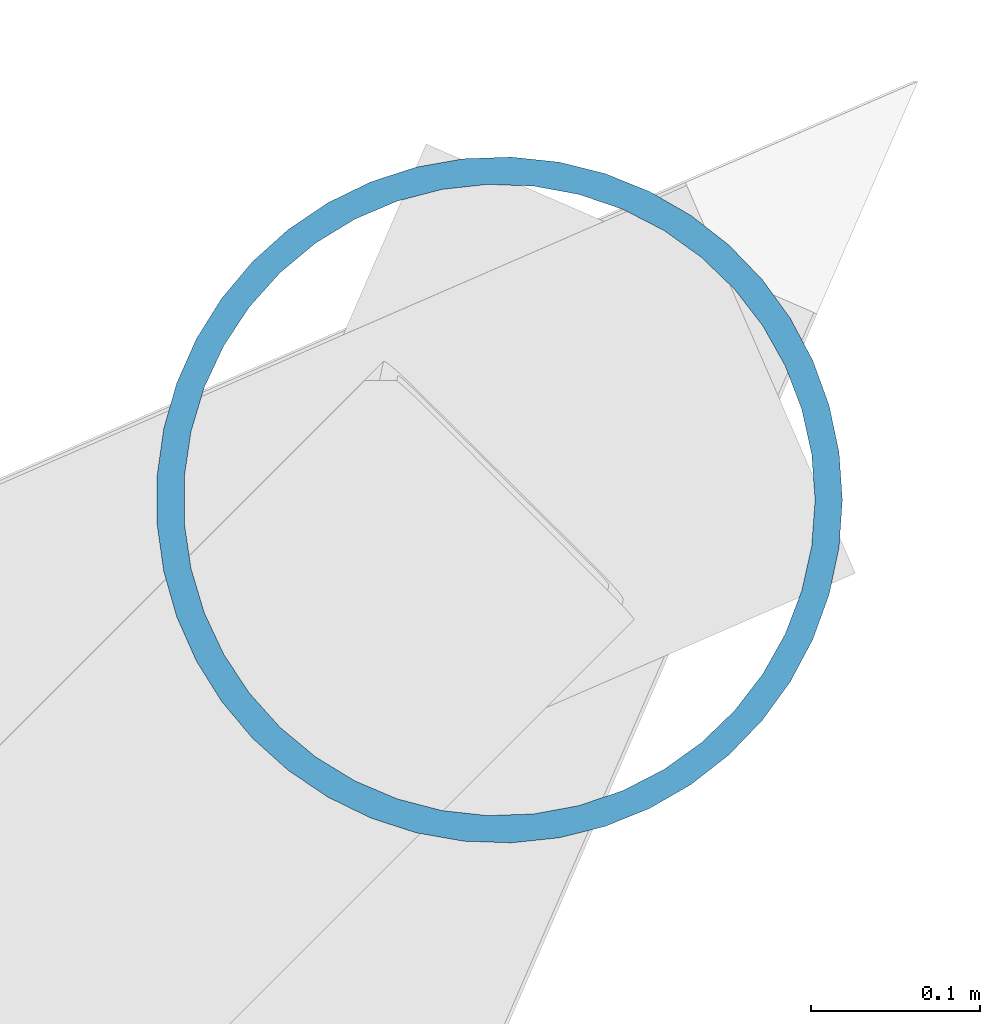
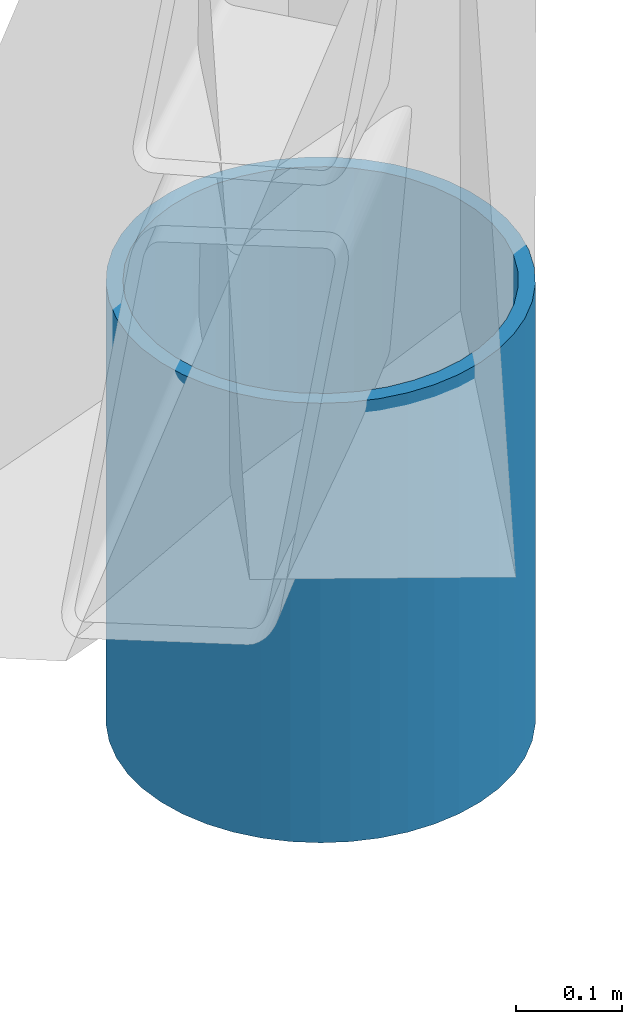
# One storey, part 8 of 95: 1 column.
"""IFC4 building model written with IfcOpenShell, lengths in metres."""

from ifc_helpers import new_model, si_unit, direction, frame, origin, origin_2d, place, context, subcontext, project, spatial, hollow_circle, extrude, material, material_profile, profile_set, type_object, element, save


model = new_model("IFC4")

# Units and contexts
model_context = context("Model", 3, precision=1e-05, world=origin(), true_north=direction((0.0, 1.0)))
body_context = subcontext(model_context, "Body", "Model", "MODEL_VIEW")
ifc_project = project(units=[si_unit("LENGTHUNIT", "METRE"), si_unit("AREAUNIT", "SQUARE_METRE"), si_unit("VOLUMEUNIT", "CUBIC_METRE"), si_unit("PLANEANGLEUNIT", "RADIAN"), si_unit("MASSUNIT", "GRAM", prefix="KILO")], contexts=[model_context])

# Site, building, storey
site_placement = place(None, origin())
site = spatial("IfcSite", under=ifc_project, at=site_placement, CompositionType="ELEMENT")
building_placement = place(site_placement, origin())
building = spatial("IfcBuilding", under=site, at=building_placement, Name="Magnolia Steps Interchange", CompositionType="ELEMENT")
storey_placement = place(building_placement, frame((0.0, 0.0, 4.800048828125)))
storey = spatial("IfcBuildingStorey", under=building, at=storey_placement, Name="L01", CompositionType="ELEMENT", Elevation=4.800048828125)

# Column
ifc_material = material(Name="Steel Q355B", Category="steel")
ifc_material_profile = material_profile(ifc_material, hollow_circle(Radius=0.202880859375, WallThickness=0.01611328125, at=origin_2d()), Name="CHS406x16")
ifc_profile_set = profile_set([ifc_material_profile], Name="Steel Q355B")
column_type = type_object("IfcColumnType", Name="Truss tip prop CHS406x16", PredefinedType="COLUMN", material=ifc_profile_set)
column_placement = place(storey_placement, frame((191.320556640625, 83.320556640625, 0.0), z_axis=(0.0, 0.0, 1.0), x_axis=(1.0, 0.0, 0.0)))
element("IfcColumn", 1, at=column_placement, inside=storey, type_object=column_type, Name="Tip prop SP-C-NE", PredefinedType="COLUMN", context=body_context, shape_type="SweptSolid", body=[
    extrude(hollow_circle(Radius=0.202880859375, WallThickness=0.01611328125, at=origin_2d()), origin(), (0.0, 0.0, 1.0), 0.506591796875),
])

save(model, "model.ifc")
